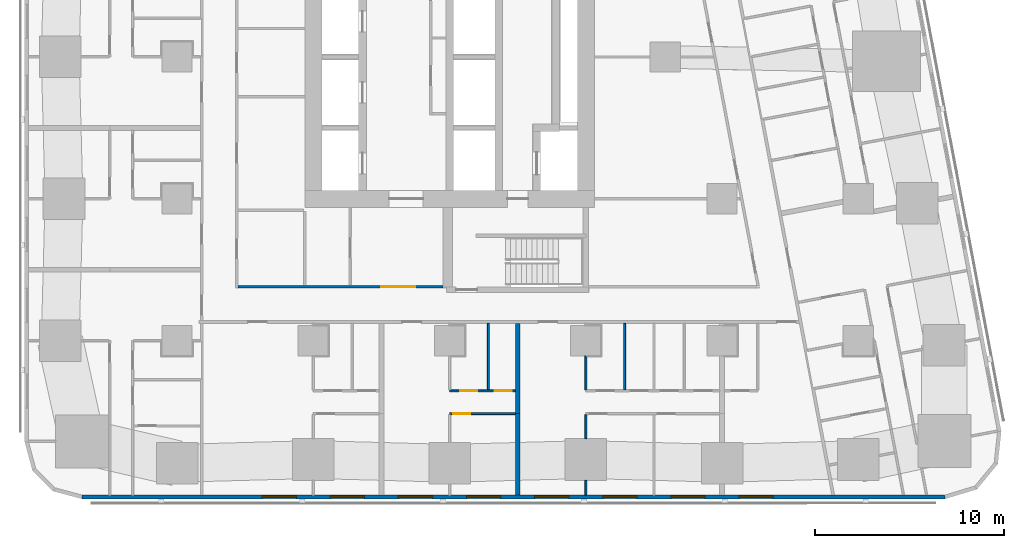
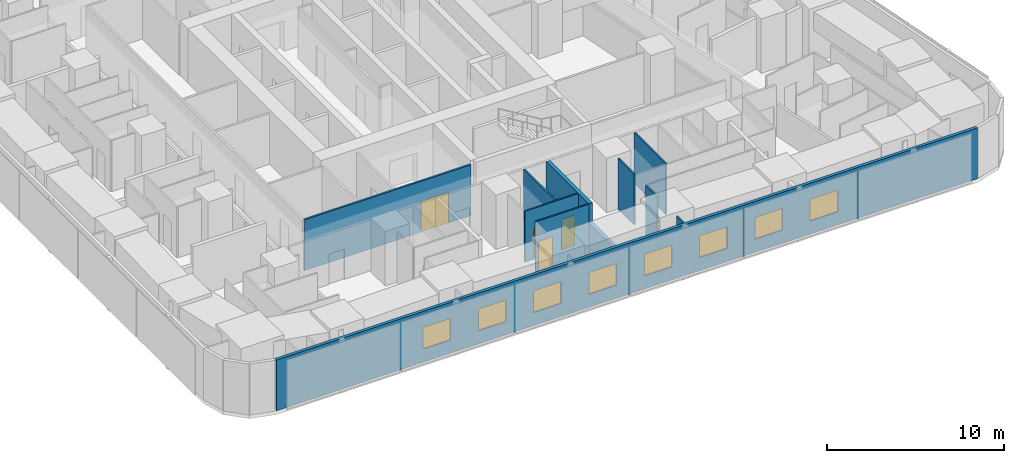
# One storey, part 3 of 16: 11 walls, 8 windows, 4 doors, 12 openings.
"""IFC4 building model written with IfcOpenShell, lengths in metres."""

from ifc_helpers import new_model, si_unit, direction, frame, frame_2d, origin, place, context, subcontext, project, spatial, rectangle, extrude, material, layer, layer_set, type_object, element, fill, save


model = new_model("IFC4")

# Units and contexts
model_context = context("Model", 3, precision=1e-05, world=origin(), true_north=direction((0.0, 1.0)))
body_context = subcontext(model_context, "Body", "Model", "MODEL_VIEW")
ifc_project = project(units=[si_unit("LENGTHUNIT", "METRE"), si_unit("AREAUNIT", "SQUARE_METRE"), si_unit("VOLUMEUNIT", "CUBIC_METRE"), si_unit("PLANEANGLEUNIT", "RADIAN"), si_unit("MASSUNIT", "GRAM", prefix="KILO")], contexts=[model_context])

# Site, building, storey
site_placement = place(None, origin())
site = spatial("IfcSite", under=ifc_project, at=site_placement, CompositionType="ELEMENT")
building_placement = place(site_placement, origin())
building = spatial("IfcBuilding", under=site, at=building_placement, Name="Sheger Commons Tower", CompositionType="ELEMENT")
storey_placement = place(building_placement, frame((0.0, 0.0, 89.14990234375)))
storey = spatial("IfcBuildingStorey", under=building, at=storey_placement, Name="L22", CompositionType="ELEMENT", Elevation=89.14990234375)

# Walls
ifc_material_1 = material(Name="Dense concrete block masonry, plastered both sides (separating wall between flats)", Category="masonry")
ifc_layer_1 = layer(ifc_material_1, 0.25)
ifc_layer_set_1 = layer_set([ifc_layer_1], Name="DEMISING WALL 250")
wall_type_1 = type_object("IfcWallType", Name="DEMISING WALL 250", PredefinedType="SOLIDWALL", material=ifc_layer_set_1)
wall_1_placement = place(storey_placement, frame((25.199951171875, -0.64990234375, 0.0), z_axis=(0.0, 0.0, 1.0), x_axis=(0.0, 1.0, 0.0)))
element("IfcWall", 1, at=wall_1_placement, inside=storey, type_object=wall_type_1, Name="Demising wall L22", PredefinedType="SOLIDWALL", context=body_context, shape_type="SweptSolid", body=[
    extrude(rectangle(XDim=4.2998046875, YDim=0.25, at=frame_2d((2.14990234375, 0.0))), origin(), (0.0, 0.0, 1.0), 2.2001953125),
])
wall_2_placement = place(storey_placement, frame((25.199951171875, 3.64990234375, 0.0), z_axis=(0.0, 0.0, 1.0), x_axis=(0.0, 1.0, 0.0)))
element("IfcWall", 2, at=wall_2_placement, inside=storey, type_object=wall_type_1, Name="Demising wall L22", PredefinedType="SOLIDWALL", context=body_context, shape_type="SweptSolid", body=[
    extrude(rectangle(XDim=4.775146484375, YDim=0.25, at=frame_2d((2.3876953125, 0.0))), origin(), (0.0, 0.0, 1.0), 3.5),
])

# Wall, openings, windows
ifc_material_2 = material(Name="Rendered concrete block masonry, dark grey", Category="masonry")
ifc_layer_2 = layer(ifc_material_2, 0.199951171875)
ifc_layer_set_2 = layer_set([ifc_layer_2], Name="FACADE WALL 200")
wall_type_2 = type_object("IfcWallType", Name="FACADE WALL 200", PredefinedType="SOLIDWALL", material=ifc_layer_set_2)
wall_3_placement = place(storey_placement, frame((2.1630859375, -0.75, 0.0), z_axis=(0.0, 0.0, 1.0), x_axis=(1.0, 0.0, 0.0)))
wall_3 = element("IfcWall", 3, at=wall_3_placement, inside=storey, type_object=wall_type_2, Name="Facade wall L22", PredefinedType="SOLIDWALL", context=body_context, shape_type="SweptSolid", body=[
    extrude(rectangle(XDim=45.6279296875, YDim=0.199951171875, at=frame_2d((22.81396484375, 0.0))), origin(), (0.0, 0.0, 1.0), 3.5),
])
opening_1_placement = place(wall_3_placement, frame((9.537109375, 0.0, 0.89990234375)))
opening_1 = element("IfcOpeningElement", 4, at=opening_1_placement, cuts=wall_3, Name="Opening W2", PredefinedType="OPENING", context=body_context, shape_type="SweptSolid", body=[
    extrude(rectangle(XDim=1.800048828125, YDim=1.5, at=frame_2d((0.89990234375, 0.75))), frame((0.0, 0.10986328125, 0.0), z_axis=(0.0, -1.0, 0.0), x_axis=(1.0, 0.0, 0.0)), (0.0, 0.0, 1.0), 0.219970703125),
])
opening_2_placement = place(wall_3_placement, frame((13.136962890625, 0.0, 0.89990234375)))
opening_2 = element("IfcOpeningElement", 5, at=opening_2_placement, cuts=wall_3, Name="Opening W2", PredefinedType="OPENING", context=body_context, shape_type="SweptSolid", body=[
    extrude(rectangle(XDim=1.800048828125, YDim=1.5, at=frame_2d((0.89990234375, 0.75))), frame((0.0, 0.10986328125, 0.0), z_axis=(0.0, -1.0, 0.0), x_axis=(1.0, 0.0, 0.0)), (0.0, 0.0, 1.0), 0.219970703125),
])
opening_3_placement = place(wall_3_placement, frame((16.737060546875, 0.0, 0.89990234375)))
opening_3 = element("IfcOpeningElement", 6, at=opening_3_placement, cuts=wall_3, Name="Opening W2", PredefinedType="OPENING", context=body_context, shape_type="SweptSolid", body=[
    extrude(rectangle(XDim=1.800048828125, YDim=1.5, at=frame_2d((0.89990234375, 0.75))), frame((0.0, 0.10986328125, 0.0), z_axis=(0.0, -1.0, 0.0), x_axis=(1.0, 0.0, 0.0)), (0.0, 0.0, 1.0), 0.219970703125),
])
opening_4_placement = place(wall_3_placement, frame((20.3369140625, 0.0, 0.89990234375)))
opening_4 = element("IfcOpeningElement", 7, at=opening_4_placement, cuts=wall_3, Name="Opening W2", PredefinedType="OPENING", context=body_context, shape_type="SweptSolid", body=[
    extrude(rectangle(XDim=1.800048828125, YDim=1.5, at=frame_2d((0.89990234375, 0.75))), frame((0.0, 0.10986328125, 0.0), z_axis=(0.0, -1.0, 0.0), x_axis=(1.0, 0.0, 0.0)), (0.0, 0.0, 1.0), 0.219970703125),
])
opening_5_placement = place(wall_3_placement, frame((23.93701171875, 0.0, 0.89990234375)))
opening_5 = element("IfcOpeningElement", 8, at=opening_5_placement, cuts=wall_3, Name="Opening W2", PredefinedType="OPENING", context=body_context, shape_type="SweptSolid", body=[
    extrude(rectangle(XDim=1.800048828125, YDim=1.5, at=frame_2d((0.89990234375, 0.75))), frame((0.0, 0.10986328125, 0.0), z_axis=(0.0, -1.0, 0.0), x_axis=(1.0, 0.0, 0.0)), (0.0, 0.0, 1.0), 0.219970703125),
])
opening_6_placement = place(wall_3_placement, frame((27.537109375, 0.0, 0.89990234375)))
opening_6 = element("IfcOpeningElement", 9, at=opening_6_placement, cuts=wall_3, Name="Opening W2", PredefinedType="OPENING", context=body_context, shape_type="SweptSolid", body=[
    extrude(rectangle(XDim=1.800048828125, YDim=1.5, at=frame_2d((0.89990234375, 0.75))), frame((0.0, 0.10986328125, 0.0), z_axis=(0.0, -1.0, 0.0), x_axis=(1.0, 0.0, 0.0)), (0.0, 0.0, 1.0), 0.219970703125),
])
opening_7_placement = place(wall_3_placement, frame((31.136962890625, 0.0, 0.89990234375)))
opening_7 = element("IfcOpeningElement", 10, at=opening_7_placement, cuts=wall_3, Name="Opening W2", PredefinedType="OPENING", context=body_context, shape_type="SweptSolid", body=[
    extrude(rectangle(XDim=1.800048828125, YDim=1.5, at=frame_2d((0.89990234375, 0.75))), frame((0.0, 0.10986328125, 0.0), z_axis=(0.0, -1.0, 0.0), x_axis=(1.0, 0.0, 0.0)), (0.0, 0.0, 1.0), 0.219970703125),
])
opening_8_placement = place(wall_3_placement, frame((34.737060546875, 0.0, 0.89990234375)))
opening_8 = element("IfcOpeningElement", 11, at=opening_8_placement, cuts=wall_3, Name="Opening W2", PredefinedType="OPENING", context=body_context, shape_type="SweptSolid", body=[
    extrude(rectangle(XDim=1.800048828125, YDim=1.5, at=frame_2d((0.89990234375, 0.75))), frame((0.0, 0.10986328125, 0.0), z_axis=(0.0, -1.0, 0.0), x_axis=(1.0, 0.0, 0.0)), (0.0, 0.0, 1.0), 0.219970703125),
])
ifc_material_3 = material(Name="Black aluminium frame, dark tinted double glazing", Category="aluminium")
window_type = type_object("IfcWindowType", Name="WINDOW W2 1800x1500", PartitioningType="SINGLE_PANEL", PredefinedType="WINDOW", material=ifc_material_3)
window_1_placement = place(opening_1_placement, origin())
window_1 = element("IfcWindow", 12, at=window_1_placement, inside=storey, type_object=window_type, Name="Window W2 1800X1500", OverallHeight=1.5, OverallWidth=1.800048828125, PartitioningType="SINGLE_PANEL", PredefinedType="WINDOW", context=body_context, shape_type="SweptSolid", body=[
    extrude(rectangle(XDim=1.800048828125, YDim=1.5, at=frame_2d((0.89990234375, 0.75))), frame((0.0, 0.030029296875, 0.0), z_axis=(0.0, -1.0, 0.0), x_axis=(1.0, 0.0, 0.0)), (0.0, 0.0, 1.0), 0.06005859375),
])
fill(opening_1, window_1)
window_2_placement = place(opening_2_placement, origin())
window_2 = element("IfcWindow", 13, at=window_2_placement, inside=storey, type_object=window_type, Name="Window W2 1800X1500", OverallHeight=1.5, OverallWidth=1.800048828125, PartitioningType="SINGLE_PANEL", PredefinedType="WINDOW", context=body_context, shape_type="SweptSolid", body=[
    extrude(rectangle(XDim=1.800048828125, YDim=1.5, at=frame_2d((0.89990234375, 0.75))), frame((0.0, 0.030029296875, 0.0), z_axis=(0.0, -1.0, 0.0), x_axis=(1.0, 0.0, 0.0)), (0.0, 0.0, 1.0), 0.06005859375),
])
fill(opening_2, window_2)
window_3_placement = place(opening_3_placement, origin())
window_3 = element("IfcWindow", 14, at=window_3_placement, inside=storey, type_object=window_type, Name="Window W2 1800X1500", OverallHeight=1.5, OverallWidth=1.800048828125, PartitioningType="SINGLE_PANEL", PredefinedType="WINDOW", context=body_context, shape_type="SweptSolid", body=[
    extrude(rectangle(XDim=1.800048828125, YDim=1.5, at=frame_2d((0.89990234375, 0.75))), frame((0.0, 0.030029296875, 0.0), z_axis=(0.0, -1.0, 0.0), x_axis=(1.0, 0.0, 0.0)), (0.0, 0.0, 1.0), 0.06005859375),
])
fill(opening_3, window_3)
window_4_placement = place(opening_4_placement, origin())
window_4 = element("IfcWindow", 15, at=window_4_placement, inside=storey, type_object=window_type, Name="Window W2 1800X1500", OverallHeight=1.5, OverallWidth=1.800048828125, PartitioningType="SINGLE_PANEL", PredefinedType="WINDOW", context=body_context, shape_type="SweptSolid", body=[
    extrude(rectangle(XDim=1.800048828125, YDim=1.5, at=frame_2d((0.89990234375, 0.75))), frame((0.0, 0.030029296875, 0.0), z_axis=(0.0, -1.0, 0.0), x_axis=(1.0, 0.0, 0.0)), (0.0, 0.0, 1.0), 0.06005859375),
])
fill(opening_4, window_4)
window_5_placement = place(opening_5_placement, origin())
window_5 = element("IfcWindow", 16, at=window_5_placement, inside=storey, type_object=window_type, Name="Window W2 1800X1500", OverallHeight=1.5, OverallWidth=1.800048828125, PartitioningType="SINGLE_PANEL", PredefinedType="WINDOW", context=body_context, shape_type="SweptSolid", body=[
    extrude(rectangle(XDim=1.800048828125, YDim=1.5, at=frame_2d((0.89990234375, 0.75))), frame((0.0, 0.030029296875, 0.0), z_axis=(0.0, -1.0, 0.0), x_axis=(1.0, 0.0, 0.0)), (0.0, 0.0, 1.0), 0.06005859375),
])
fill(opening_5, window_5)
window_6_placement = place(opening_6_placement, origin())
window_6 = element("IfcWindow", 17, at=window_6_placement, inside=storey, type_object=window_type, Name="Window W2 1800X1500", OverallHeight=1.5, OverallWidth=1.800048828125, PartitioningType="SINGLE_PANEL", PredefinedType="WINDOW", context=body_context, shape_type="SweptSolid", body=[
    extrude(rectangle(XDim=1.800048828125, YDim=1.5, at=frame_2d((0.89990234375, 0.75))), frame((0.0, 0.030029296875, 0.0), z_axis=(0.0, -1.0, 0.0), x_axis=(1.0, 0.0, 0.0)), (0.0, 0.0, 1.0), 0.06005859375),
])
fill(opening_6, window_6)
window_7_placement = place(opening_7_placement, origin())
window_7 = element("IfcWindow", 18, at=window_7_placement, inside=storey, type_object=window_type, Name="Window W2 1800X1500", OverallHeight=1.5, OverallWidth=1.800048828125, PartitioningType="SINGLE_PANEL", PredefinedType="WINDOW", context=body_context, shape_type="SweptSolid", body=[
    extrude(rectangle(XDim=1.800048828125, YDim=1.5, at=frame_2d((0.89990234375, 0.75))), frame((0.0, 0.030029296875, 0.0), z_axis=(0.0, -1.0, 0.0), x_axis=(1.0, 0.0, 0.0)), (0.0, 0.0, 1.0), 0.06005859375),
])
fill(opening_7, window_7)
window_8_placement = place(opening_8_placement, origin())
window_8 = element("IfcWindow", 19, at=window_8_placement, inside=storey, type_object=window_type, Name="Window W2 1800X1500", OverallHeight=1.5, OverallWidth=1.800048828125, PartitioningType="SINGLE_PANEL", PredefinedType="WINDOW", context=body_context, shape_type="SweptSolid", body=[
    extrude(rectangle(XDim=1.800048828125, YDim=1.5, at=frame_2d((0.89990234375, 0.75))), frame((0.0, 0.030029296875, 0.0), z_axis=(0.0, -1.0, 0.0), x_axis=(1.0, 0.0, 0.0)), (0.0, 0.0, 1.0), 0.06005859375),
])
fill(opening_8, window_8)

# Wall, opening, door
ifc_material_4 = material(Name="Gypsum board on steel studs", Category="steel")
ifc_layer_3 = layer(ifc_material_4, 0.10009765625)
ifc_layer_set_3 = layer_set([ifc_layer_3], Name="PARTITION 100")
wall_type_3 = type_object("IfcWallType", Name="PARTITION 100", PredefinedType="PARTITIONING", material=ifc_layer_set_3)
wall_4_placement = place(storey_placement, frame((25.074951171875, 3.64990234375, 0.0), z_axis=(0.0, 0.0, 1.0), x_axis=(-1.0, 0.0, 0.0)))
wall_4 = element("IfcWall", 20, at=wall_4_placement, inside=storey, type_object=wall_type_3, Name="Partition L22", PredefinedType="PARTITIONING", context=body_context, shape_type="SweptSolid", body=[
    extrude(rectangle(XDim=3.474853515625, YDim=0.10009765625, at=frame_2d((1.7373046875, 0.0))), origin(), (0.0, 0.0, 1.0), 3.5),
])
opening_9_placement = place(wall_4_placement, frame((2.375, 0.0, 0.0)))
opening_9 = element("IfcOpeningElement", 21, at=opening_9_placement, cuts=wall_4, Name="Opening D2", PredefinedType="OPENING", context=body_context, shape_type="SweptSolid", body=[
    extrude(rectangle(XDim=0.89990234375, YDim=2.10009765625, at=frame_2d((0.449951171875, 1.050048828125))), frame((0.0, 0.06005859375, 0.0), z_axis=(0.0, -1.0, 0.0), x_axis=(1.0, 0.0, 0.0)), (0.0, 0.0, 1.0), 0.1201171875),
])
ifc_material_5 = material(Name="Timber door set", Category="wood")
door_type_1 = type_object("IfcDoorType", Name="INTERNAL DOOR 900x2100", OperationType="NOTDEFINED", PredefinedType="DOOR", material=ifc_material_5)
door_1_placement = place(opening_9_placement, origin())
door_1 = element("IfcDoor", 22, at=door_1_placement, inside=storey, type_object=door_type_1, Name="Main bedroom door", OperationType="SINGLE_SWING_RIGHT", OverallHeight=2.10009765625, OverallWidth=0.89990234375, PredefinedType="DOOR", context=body_context, shape_type="SweptSolid", body=[
    extrude(rectangle(XDim=0.89990234375, YDim=2.10009765625, at=frame_2d((0.449951171875, 1.050048828125))), frame((0.0, 0.02490234375, 0.0), z_axis=(0.0, -1.0, 0.0), x_axis=(1.0, 0.0, 0.0)), (0.0, 0.0, 1.0), 0.050048828125),
])
fill(opening_9, door_1)

# Wall, openings, doors
wall_5_placement = place(storey_placement, frame((25.074951171875, 4.85009765625, 0.0), z_axis=(0.0, 0.0, 1.0), x_axis=(-1.0, 0.0, 0.0)))
wall_5 = element("IfcWall", 23, at=wall_5_placement, inside=storey, type_object=wall_type_3, Name="Partition L22", PredefinedType="PARTITIONING", context=body_context, shape_type="SweptSolid", body=[
    extrude(rectangle(XDim=3.474853515625, YDim=0.10009765625, at=frame_2d((1.7373046875, 0.0))), origin(), (0.0, 0.0, 1.0), 3.5),
])
opening_10_placement = place(wall_5_placement, frame((2.0, 0.0, 0.0)))
opening_10 = element("IfcOpeningElement", 24, at=opening_10_placement, cuts=wall_5, Name="Opening D2", PredefinedType="OPENING", context=body_context, shape_type="SweptSolid", body=[
    extrude(rectangle(XDim=0.89990234375, YDim=2.10009765625, at=frame_2d((0.449951171875, 1.050048828125))), frame((0.0, 0.06005859375, 0.0), z_axis=(0.0, -1.0, 0.0), x_axis=(1.0, 0.0, 0.0)), (0.0, 0.0, 1.0), 0.1201171875),
])
opening_11_placement = place(wall_5_placement, frame((0.199951171875, 0.0, 0.0)))
opening_11 = element("IfcOpeningElement", 25, at=opening_11_placement, cuts=wall_5, Name="Opening D2", PredefinedType="OPENING", context=body_context, shape_type="SweptSolid", body=[
    extrude(rectangle(XDim=0.89990234375, YDim=2.10009765625, at=frame_2d((0.449951171875, 1.050048828125))), frame((0.0, 0.06005859375, 0.0), z_axis=(0.0, -1.0, 0.0), x_axis=(1.0, 0.0, 0.0)), (0.0, 0.0, 1.0), 0.1201171875),
])
door_2_placement = place(opening_10_placement, origin())
door_2 = element("IfcDoor", 26, at=door_2_placement, inside=storey, type_object=door_type_1, Name="Bathroom door", OperationType="SINGLE_SWING_LEFT", OverallHeight=2.10009765625, OverallWidth=0.89990234375, PredefinedType="DOOR", context=body_context, shape_type="SweptSolid", body=[
    extrude(rectangle(XDim=0.89990234375, YDim=2.10009765625, at=frame_2d((0.449951171875, 1.050048828125))), frame((0.0, 0.02490234375, 0.0), z_axis=(0.0, -1.0, 0.0), x_axis=(1.0, 0.0, 0.0)), (0.0, 0.0, 1.0), 0.050048828125),
])
fill(opening_10, door_2)
door_3_placement = place(opening_11_placement, origin())
door_3 = element("IfcDoor", 27, at=door_3_placement, inside=storey, type_object=door_type_1, Name="Store door", OperationType="SINGLE_SWING_RIGHT", OverallHeight=2.10009765625, OverallWidth=0.89990234375, PredefinedType="DOOR", context=body_context, shape_type="SweptSolid", body=[
    extrude(rectangle(XDim=0.89990234375, YDim=2.10009765625, at=frame_2d((0.449951171875, 1.050048828125))), frame((0.0, 0.02490234375, 0.0), z_axis=(0.0, -1.0, 0.0), x_axis=(1.0, 0.0, 0.0)), (0.0, 0.0, 1.0), 0.050048828125),
])
fill(opening_11, door_3)

# Walls
wall_6_placement = place(storey_placement, frame((23.64990234375, 4.89990234375, 0.0), z_axis=(0.0, 0.0, 1.0), x_axis=(0.0, 1.0, 0.0)))
element("IfcWall", 28, at=wall_6_placement, inside=storey, type_object=wall_type_3, Name="Partition L22", PredefinedType="PARTITIONING", context=body_context, shape_type="SweptSolid", body=[
    extrude(rectangle(XDim=3.525146484375, YDim=0.10009765625, at=frame_2d((1.7626953125, 0.0))), origin(), (0.0, 0.0, 1.0), 3.5),
])
wall_7_placement = place(storey_placement, frame((28.800048828125, -0.64990234375, 0.0), z_axis=(0.0, 0.0, 1.0), x_axis=(0.0, 1.0, 0.0)))
element("IfcWall", 29, at=wall_7_placement, inside=storey, type_object=wall_type_3, Name="Partition L22", PredefinedType="PARTITIONING", context=body_context, shape_type="SweptSolid", body=[
    extrude(rectangle(XDim=0.77392578125, YDim=0.10009765625, at=frame_2d((0.386962890625, 0.0))), origin(), (0.0, 0.0, 1.0), 3.5),
])
wall_8_placement = place(storey_placement, frame((28.800048828125, 2.325927734375, 0.0), z_axis=(0.0, 0.0, 1.0), x_axis=(0.0, 1.0, 0.0)))
element("IfcWall", 30, at=wall_8_placement, inside=storey, type_object=wall_type_3, Name="Partition L22", PredefinedType="PARTITIONING", context=body_context, shape_type="SweptSolid", body=[
    extrude(rectangle(XDim=1.274169921875, YDim=0.10009765625, at=frame_2d((0.63720703125, 0.0))), origin(), (0.0, 0.0, 1.0), 3.5),
])
wall_9_placement = place(storey_placement, frame((28.800048828125, 4.89990234375, 0.0), z_axis=(0.0, 0.0, 1.0), x_axis=(0.0, 1.0, 0.0)))
element("IfcWall", 31, at=wall_9_placement, inside=storey, type_object=wall_type_3, Name="Partition L22", PredefinedType="PARTITIONING", context=body_context, shape_type="SweptSolid", body=[
    extrude(rectangle(XDim=1.799072265625, YDim=0.10009765625, at=frame_2d((0.8994140625, 0.0))), origin(), (0.0, 0.0, 1.0), 3.5),
])
wall_10_placement = place(storey_placement, frame((30.85009765625, 4.89990234375, 0.0), z_axis=(0.0, 0.0, 1.0), x_axis=(0.0, 1.0, 0.0)))
element("IfcWall", 32, at=wall_10_placement, inside=storey, type_object=wall_type_3, Name="Partition L22", PredefinedType="PARTITIONING", context=body_context, shape_type="SweptSolid", body=[
    extrude(rectangle(XDim=3.525146484375, YDim=0.10009765625, at=frame_2d((1.7626953125, 0.0))), origin(), (0.0, 0.0, 1.0), 3.5),
])

# Wall, opening, door
ifc_material_6 = material(Name="Gypsum board on steel studs, two layers each side, fire rated", Category="steel")
ifc_layer_4 = layer(ifc_material_6, 0.125)
ifc_layer_set_4 = layer_set([ifc_layer_4], Name="SERVICE WALL 125")
wall_type_4 = type_object("IfcWallType", Name="SERVICE WALL 125", PredefinedType="PARTITIONING", material=ifc_layer_set_4)
wall_11_placement = place(storey_placement, frame((10.4130859375, 10.35009765625, 0.0), z_axis=(0.0, 0.0, 1.0), x_axis=(1.0, 0.0, 0.0)))
wall_11 = element("IfcWall", 33, at=wall_11_placement, inside=storey, type_object=wall_type_4, Name="Service room wall L22", PredefinedType="PARTITIONING", context=body_context, shape_type="SweptSolid", body=[
    extrude(rectangle(XDim=10.8369140625, YDim=0.125, at=frame_2d((5.41845703125, 0.0))), origin(), (0.0, 0.0, 1.0), 3.5),
])
opening_12_placement = place(wall_11_placement, frame((7.58203125, 0.0, 0.0)))
opening_12 = element("IfcOpeningElement", 34, at=opening_12_placement, cuts=wall_11, Name="Opening D6", PredefinedType="OPENING", context=body_context, shape_type="SweptSolid", body=[
    extrude(rectangle(XDim=1.800048828125, YDim=2.10009765625, at=frame_2d((0.89990234375, 1.050048828125))), frame((0.0, 0.072509765625, 0.0), z_axis=(0.0, -1.0, 0.0), x_axis=(1.0, 0.0, 0.0)), (0.0, 0.0, 1.0), 0.14501953125),
])
ifc_material_7 = material(Name="Steel door set, fire rated", Category="steel")
door_type_2 = type_object("IfcDoorType", Name="LOBBY DOUBLE DOOR 1800x2100", OperationType="DOUBLE_DOOR_SINGLE_SWING", PredefinedType="DOOR", material=ifc_material_7)
door_4_placement = place(opening_12_placement, origin())
door_4 = element("IfcDoor", 35, at=door_4_placement, inside=storey, type_object=door_type_2, Name="Lift lobby south door", OperationType="DOUBLE_DOOR_SINGLE_SWING", OverallHeight=2.10009765625, OverallWidth=1.800048828125, PredefinedType="DOOR", context=body_context, shape_type="SweptSolid", body=[
    extrude(rectangle(XDim=1.800048828125, YDim=2.10009765625, at=frame_2d((0.89990234375, 1.050048828125))), frame((0.0, 0.02490234375, 0.0), z_axis=(0.0, -1.0, 0.0), x_axis=(1.0, 0.0, 0.0)), (0.0, 0.0, 1.0), 0.050048828125),
])
fill(opening_12, door_4)

save(model, "model.ifc")
